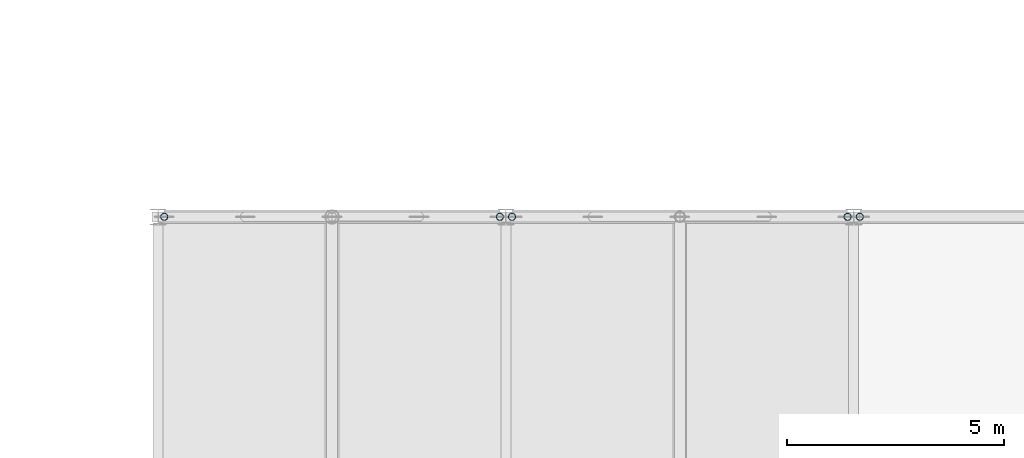
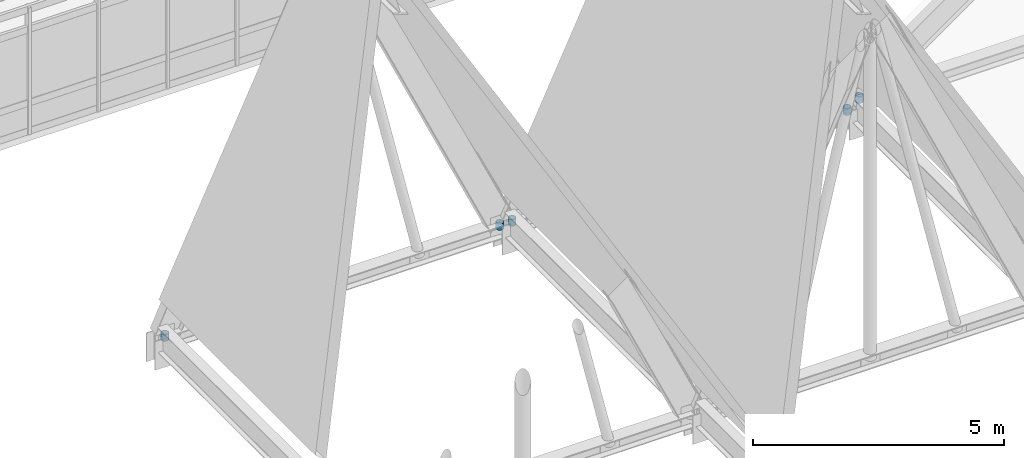
# One storey, part 58 of 85: 5 members.
"""IFC4 building model written with IfcOpenShell, lengths in metres."""

from ifc_helpers import new_model, si_unit, direction, frame, origin, origin_2d, place, context, subcontext, project, spatial, hollow_circle, extrude, material, material_profile, profile_set, type_object, element, save


model = new_model("IFC4")

# Units and contexts
model_context = context("Model", 3, precision=1e-05, world=origin(), true_north=direction((0.0, 1.0)))
body_context = subcontext(model_context, "Body", "Model", "MODEL_VIEW")
ifc_project = project(units=[si_unit("LENGTHUNIT", "METRE"), si_unit("AREAUNIT", "SQUARE_METRE"), si_unit("VOLUMEUNIT", "CUBIC_METRE"), si_unit("PLANEANGLEUNIT", "RADIAN"), si_unit("MASSUNIT", "GRAM", prefix="KILO")], contexts=[model_context])

# Site, building, storey
site_placement = place(None, origin())
site = spatial("IfcSite", under=ifc_project, at=site_placement, CompositionType="ELEMENT")
building_placement = place(site_placement, origin())
building = spatial("IfcBuilding", under=site, at=building_placement, Name="Zulena Civic Courthouse", CompositionType="ELEMENT")
storey_placement = place(building_placement, frame((0.0, 0.0, 25.199951171875)))
storey = spatial("IfcBuildingStorey", under=building, at=storey_placement, Name="L05", CompositionType="ELEMENT", Elevation=25.199951171875)

# Members
ifc_material = material(Name="Steel ASTM A500 Grade C", Category="steel")
ifc_material_profile = material_profile(ifc_material, hollow_circle(Radius=0.083984375, WallThickness=0.00732421875, at=origin_2d()), Name="HSS6.625X0.312")
ifc_profile_set = profile_set([ifc_material_profile], Name="Steel ASTM A500 Grade C")
member_type = type_object("IfcMemberType", Name="RoofWeb_CHS6", PredefinedType="USERDEFINED", material=ifc_profile_set)
for number, where, z_axis, x_axis, name in (
    (1, (68.139892578125, 38.0, 0.343017578125), (0.0, 0.0, 1.0), (1.0, 0.0, 0.0), "mem:fold:postW:01:38.0"),
    (2, (75.860107421875, 38.0, 0.343017578125), (0.0, 0.0, 1.0), (1.0, 0.0, 0.0), "mem:fold:postE:01:38.0"),
    (3, (76.139892578125, 38.0, 0.343017578125), (0.0, 0.0, 1.0), (1.0, 0.0, 0.0), "mem:fold:postW:02:38.0"),
    (4, (83.860107421875, 38.0, 0.343017578125), (0.0, 0.0, 1.0), (1.0, 0.0, 0.0), "mem:fold:postE:02:38.0"),
):
    element("IfcMember", number, at=place(storey_placement, frame(where, z_axis=z_axis, x_axis=x_axis)), inside=storey, type_object=member_type, Name=name, ObjectType="ROOF TRUSS", PredefinedType="USERDEFINED", context=body_context, shape_type="SweptSolid", body=[
        extrude(hollow_circle(Radius=0.083984375, WallThickness=0.00732421875, at=origin_2d()), origin(), (0.0, 0.0, 1.0), 0.159912109375),
    ])
member_placement = place(storey_placement, frame((84.139892578125, 38.0, 0.536376953125), z_axis=(0.0, 0.0, 1.0), x_axis=(1.0, 0.0, 0.0)))
element("IfcMember", 5, at=member_placement, inside=storey, type_object=member_type, Name="mem:fold:postW:03:38.0", ObjectType="ROOF TRUSS", PredefinedType="USERDEFINED", context=body_context, shape_type="SweptSolid", body=[
    extrude(hollow_circle(Radius=0.083984375, WallThickness=0.00732421875, at=origin_2d()), origin(), (0.0, 0.0, 1.0), 0.16015625),
])

save(model, "model.ifc")
